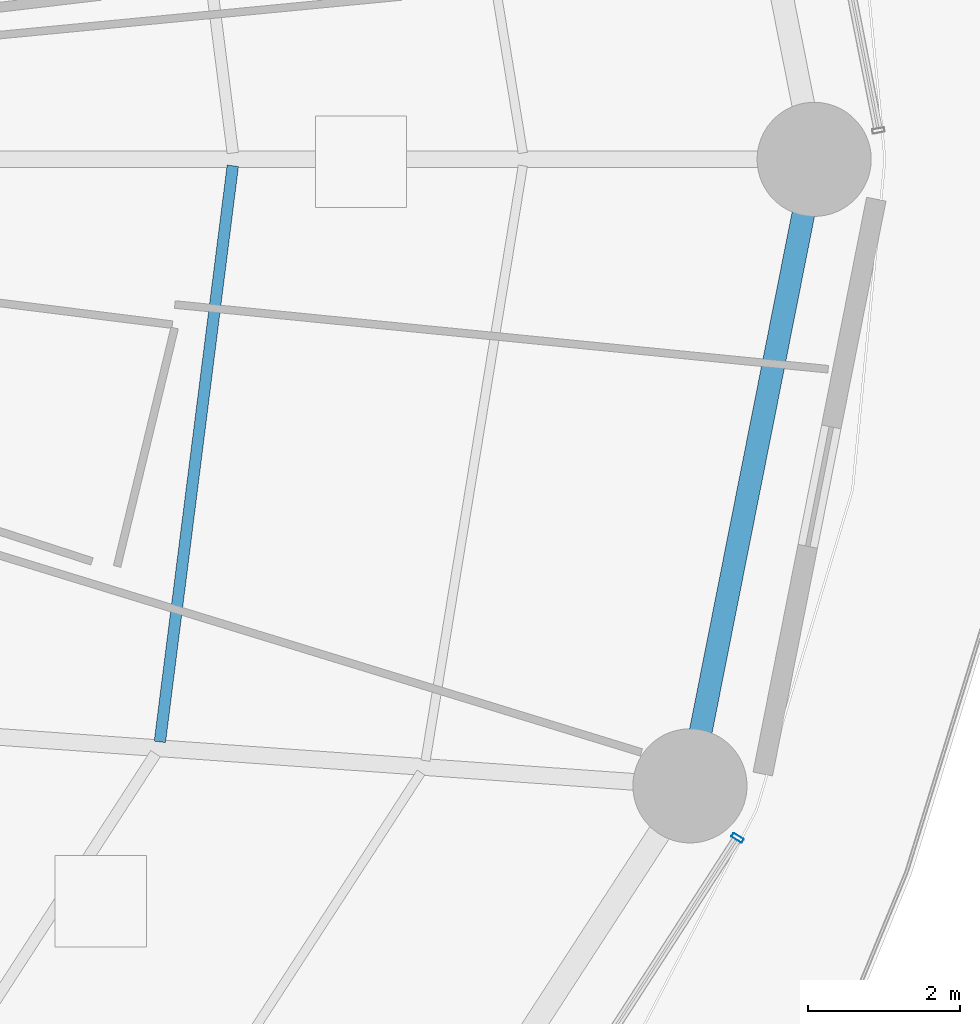
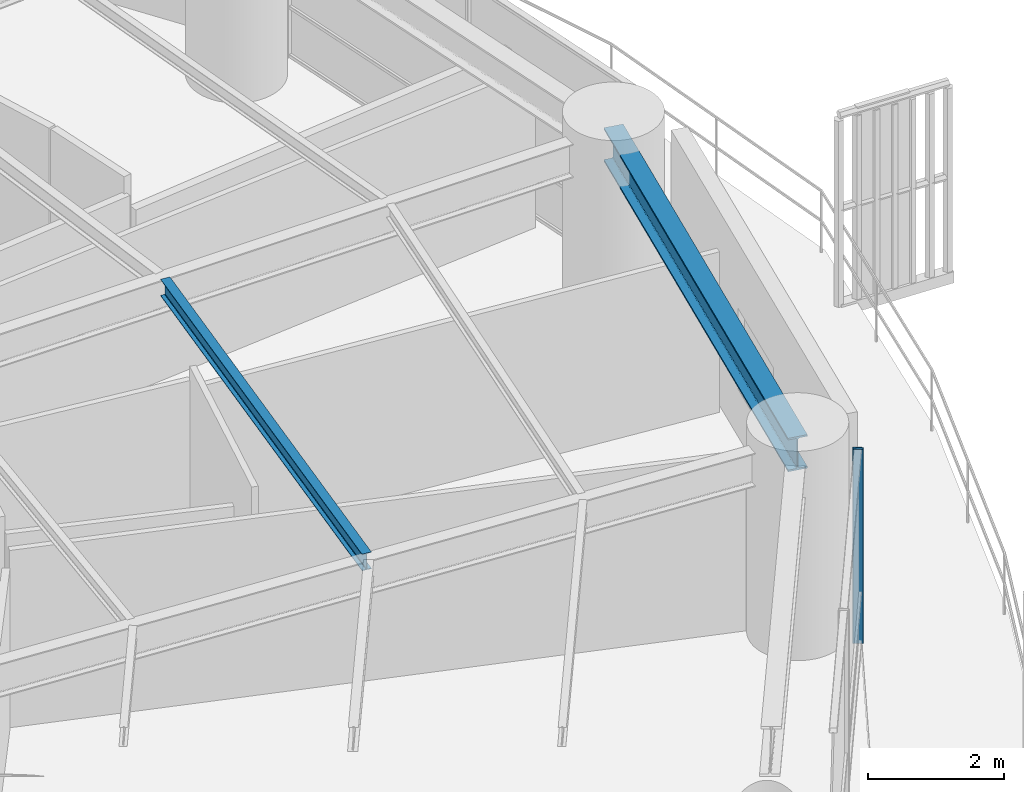
# One storey, part 12 of 33: 2 beams, 1 member, 1 element without a shape of its own.
"""IFC4 building model written with IfcOpenShell, lengths in metres."""

from ifc_helpers import new_model, si_unit, direction, frame, origin, origin_2d, place, context, subcontext, project, spatial, hollow_rectangle, i_section, extrude, material, layer, layer_set, material_profile, profile_set, type_object, element, aggregate, save


model = new_model("IFC4")

# Units and contexts
model_context = context("Model", 3, precision=1e-05, world=origin(), true_north=direction((0.0, 1.0)))
body_context = subcontext(model_context, "Body", "Model", "MODEL_VIEW")
ifc_project = project(units=[si_unit("LENGTHUNIT", "METRE"), si_unit("AREAUNIT", "SQUARE_METRE"), si_unit("VOLUMEUNIT", "CUBIC_METRE"), si_unit("PLANEANGLEUNIT", "RADIAN"), si_unit("MASSUNIT", "GRAM", prefix="KILO")], contexts=[model_context])

# Site, building, storey
site_placement = place(None, origin())
site = spatial("IfcSite", under=ifc_project, at=site_placement, CompositionType="ELEMENT")
building_placement = place(site_placement, origin())
building = spatial("IfcBuilding", under=site, at=building_placement, Name="Kelanora Arch Commons", CompositionType="ELEMENT")
storey_placement = place(building_placement, frame((0.0, 0.0, 45.0)))
storey = spatial("IfcBuildingStorey", under=building, at=storey_placement, Name="L11", CompositionType="ELEMENT", Elevation=45.0)

# Beams
ifc_material_1 = material(Name="Steel S355", Category="steel")
ifc_material_profile_1 = material_profile(ifc_material_1, i_section(OverallWidth=0.14990234375, OverallDepth=0.300048828125, WebThickness=0.007080078125, FlangeThickness=0.0107421875, FilletRadius=0.014892578125, at=origin_2d()), Name="IPE300")
ifc_profile_set_1 = profile_set([ifc_material_profile_1], Name="Steel S355")
beam_type_1 = type_object("IfcBeamType", Name="BM-JST-01", PredefinedType="JOIST", material=ifc_profile_set_1)
beam_1_placement = place(storey_placement, frame((92.478759765625, 50.3427734375, 3.340087890625), z_axis=(0.125565841651, 0.992085288375, 0.0), x_axis=(-0.992085288375, 0.125565841651, 0.0)))
element("IfcBeam", 1, at=beam_1_placement, inside=storey, type_object=beam_type_1, Name="Secondary Chord Joist BJB-34 L11", PredefinedType="JOIST", context=body_context, shape_type="SweptSolid", body=[
    extrude(i_section(OverallWidth=0.14990234375, OverallDepth=0.300048828125, WebThickness=0.007080078125, FlangeThickness=0.0107421875, FilletRadius=0.014892578125, at=origin_2d()), origin(), (0.0, 0.0, 1.0), 7.63330078125),
])
ifc_material_profile_2 = material_profile(ifc_material_1, i_section(OverallWidth=0.300048828125, OverallDepth=0.60009765625, WebThickness=0.015380859375, FlangeThickness=0.030029296875, FilletRadius=0.027099609375, at=origin_2d()), Name="HEB600")
ifc_profile_set_2 = profile_set([ifc_material_profile_2], Name="Steel S355")
beam_type_2 = type_object("IfcBeamType", Name="BM-SPN-Z1", PredefinedType="SPANDREL", material=ifc_profile_set_2)
beam_2_placement = place(storey_placement, frame((99.447021484375, 49.76416015625, 3.18994140625), z_axis=(0.194499827256, 0.980902552345, 0.0), x_axis=(-0.980902552345, 0.194499827256, 0.0)))
element("IfcBeam", 2, at=beam_2_placement, inside=storey, type_object=beam_type_2, Name="Perimeter Spandrel Beam BS-34 L11", PredefinedType="SPANDREL", context=body_context, shape_type="SweptSolid", body=[
    extrude(i_section(OverallWidth=0.300048828125, OverallDepth=0.60009765625, WebThickness=0.015380859375, FlangeThickness=0.030029296875, FilletRadius=0.027099609375, at=origin_2d()), origin(), (0.0, 0.0, 1.0), 8.396240234375),
])

# Curtain wall, member
ifc_material_2 = material(Name="Terracotta ceramic-fritted low-E glass and aluminium", Category="masonry")
ifc_layer = layer(ifc_material_2, 0.159912109375)
ifc_layer_set = layer_set([ifc_layer], Name="Terracotta ceramic-fritted low-E glass and aluminium")
curtain_wall_type = type_object("IfcCurtainWallType", Name="CW-SYS-01", PredefinedType="NOTDEFINED", material=ifc_layer_set)
curtain_wall_placement = place(storey_placement, origin())
curtain_wall = element("IfcCurtainWall", 3, at=curtain_wall_placement, inside=storey, type_object=curtain_wall_type, Name="Unitised Curtain Wall L11-B16", PredefinedType="NOTDEFINED")
ifc_material_3 = material(Name="Powder-coated aluminium terracotta", Category="masonry")
ifc_material_profile_3 = material_profile(ifc_material_3, hollow_rectangle(XDim=0.159912109375, YDim=0.06005859375, WallThickness=0.0048828125, InnerFilletRadius=0.0048828125, OuterFilletRadius=0.010009765625, at=origin_2d()), Name="CWM160x60")
ifc_profile_set_3 = profile_set([ifc_material_profile_3], Name="Powder-coated aluminium terracotta")
member_type = type_object("IfcMemberType", Name="CWM-STD", PredefinedType="MULLION", material=ifc_profile_set_3)
member_placement = place(storey_placement, frame((100.072265625, 49.07958984375, 0.0), z_axis=(0.0, 0.0, 1.0), x_axis=(-0.83972982332, 0.543004441812, 0.0)))
member = element("IfcMember", 4, at=member_placement, type_object=member_type, Name="CW-01 mullion 3", PredefinedType="MULLION", context=body_context, shape_type="SweptSolid", body=[
    extrude(hollow_rectangle(XDim=0.159912109375, YDim=0.06005859375, WallThickness=0.0048828125, InnerFilletRadius=0.0048828125, OuterFilletRadius=0.010009765625, at=origin_2d()), origin(), (0.0, 0.0, 1.0), 3.47509765625),
])
aggregate(curtain_wall, [member])

save(model, "model.ifc")
